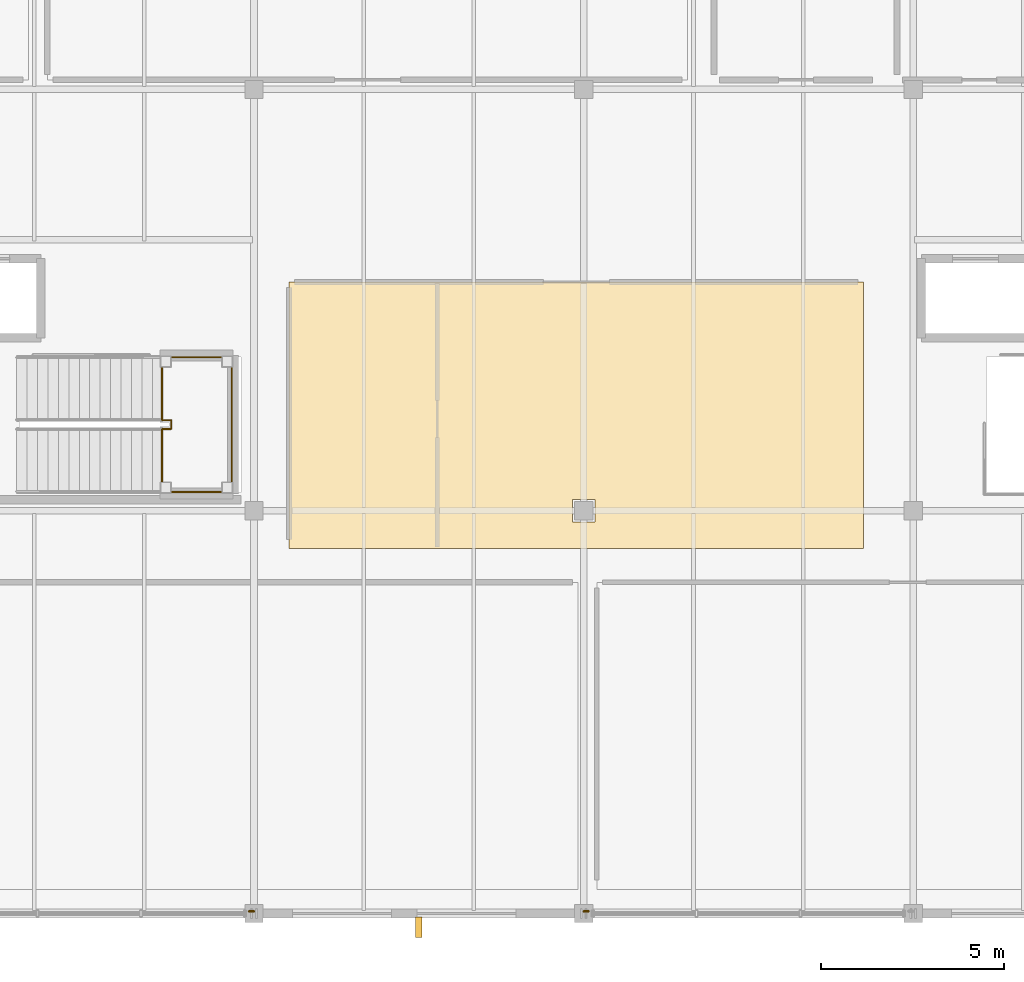
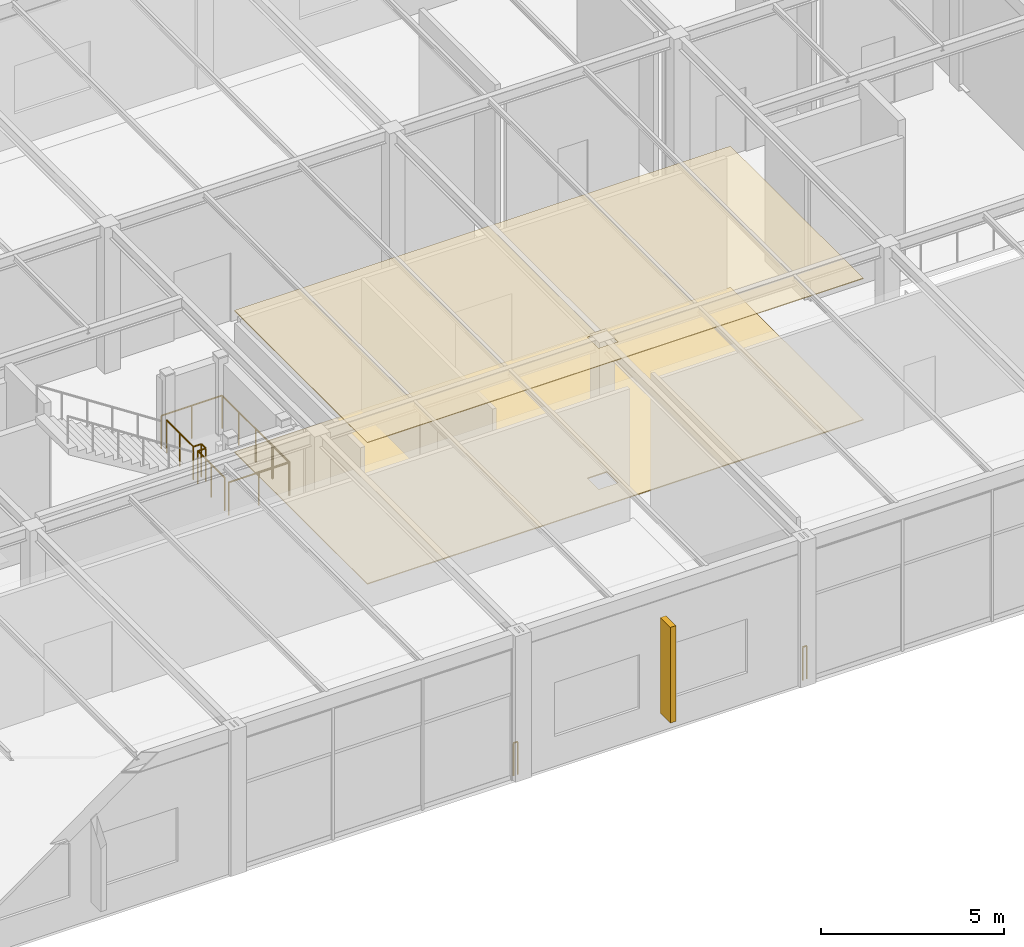
# One storey, part 186 of 195: 4 railings, 2 coverings, 1 shading device.
"""IFC4 building model written with IfcOpenShell, lengths in metres."""

from ifc_helpers import new_model, si_unit, direction, frame, origin, origin_2d, place, context, subcontext, project, spatial, polyline, rectangle, circle, outline, extrude, material, layer, layer_set, type_object, element, save


model = new_model("IFC4")

# Units and contexts
model_context = context("Model", 3, precision=1e-05, world=origin(), true_north=direction((0.0, 1.0)))
body_context = subcontext(model_context, "Body", "Model", "MODEL_VIEW")
ifc_project = project(units=[si_unit("LENGTHUNIT", "METRE"), si_unit("AREAUNIT", "SQUARE_METRE"), si_unit("VOLUMEUNIT", "CUBIC_METRE"), si_unit("PLANEANGLEUNIT", "RADIAN"), si_unit("MASSUNIT", "GRAM", prefix="KILO")], contexts=[model_context])

# Site, building, storey
site_placement = place(None, origin())
site = spatial("IfcSite", under=ifc_project, at=site_placement, CompositionType="ELEMENT")
building_placement = place(site_placement, origin())
building = spatial("IfcBuilding", under=site, at=building_placement, Name="Marlcrest Central Station", CompositionType="ELEMENT")
storey_placement = place(building_placement, frame((0.0, 0.0, 9.800048828125)))
storey = spatial("IfcBuildingStorey", under=building, at=storey_placement, Name="L02", CompositionType="ELEMENT", Elevation=9.800048828125)

# Coverings
ifc_material_1 = material(Name="Perforated acoustic mineral-fibre ceiling")
ifc_layer_1 = layer(ifc_material_1, 0.02490234375, Name="CV-CLG")
ifc_layer_set_1 = layer_set([ifc_layer_1], Name="Perforated acoustic mineral-fibre ceiling")
covering_type_1 = type_object("IfcCoveringType", Name="CV-CLG", PredefinedType="CEILING", material=ifc_layer_set_1)
covering_1_placement = place(storey_placement, frame((0.0, 0.0, 4.724853515625)))
element("IfcCovering", 1, at=covering_1_placement, inside=storey, type_object=covering_type_1, Name="cov-clg-0089", PredefinedType="CEILING", context=body_context, shape_type="SweptSolid", body=[
    extrude(outline(polyline([(180.9599609375, 9.9599609375), (180.9599609375, 17.239990234375), (196.639892578125, 17.239990234375), (196.639892578125, 9.9599609375), (180.9599609375, 9.9599609375)]), holes=[polyline([(189.31005859375, 11.31005859375), (188.68994140625, 11.31005859375), (188.68994140625, 10.68994140625), (189.31005859375, 10.68994140625), (189.31005859375, 11.31005859375)])]), origin(), (0.0, 0.0, 1.0), 0.025146484375),
])
ifc_material_2 = material(Name="Polished terrazzo and tactile transit flooring")
ifc_layer_2 = layer(ifc_material_2, 0.030029296875, Name="CV-FLR")
ifc_layer_set_2 = layer_set([ifc_layer_2], Name="Polished terrazzo and tactile transit flooring")
covering_type_2 = type_object("IfcCoveringType", Name="CV-FLR", PredefinedType="FLOORING", material=ifc_layer_set_2)
covering_2_placement = place(storey_placement, origin())
element("IfcCovering", 2, at=covering_2_placement, inside=storey, type_object=covering_type_2, Name="cov-flr-0090", PredefinedType="FLOORING", context=body_context, shape_type="SweptSolid", body=[
    extrude(outline(polyline([(180.9599609375, 9.9599609375), (180.9599609375, 17.239990234375), (196.639892578125, 17.239990234375), (196.639892578125, 9.9599609375), (180.9599609375, 9.9599609375)]), holes=[polyline([(189.31005859375, 11.31005859375), (188.68994140625, 11.31005859375), (188.68994140625, 10.68994140625), (189.31005859375, 10.68994140625), (189.31005859375, 11.31005859375)])]), origin(), (0.0, 0.0, 1.0), 0.030029296875),
])

# Railings
ifc_material_3 = material(Name="Stainless steel and laminated glass concourse balustrade", Category="steel")
railing_type = type_object("IfcRailingType", Name="GR-02", PredefinedType="BALUSTRADE", material=ifc_material_3)
railing_1_placement = place(storey_placement, frame((177.469970703125, 11.510009765625, 2.599853515625)))
element("IfcRailing", 3, at=railing_1_placement, inside=storey, type_object=railing_type, Name="hr-L02-00225", PredefinedType="BALUSTRADE", context=body_context, shape_type="SweptSolid", body=[
    extrude(circle(Radius=0.02392578125, at=origin_2d()), frame((0.0, 0.0, 1.09619140625), z_axis=(1.0, 0.0, 0.0), x_axis=(0.0, 1.0, 0.0)), (0.0, 0.0, 1.0), 1.919921875),
    extrude(circle(Radius=0.02392578125, at=origin_2d()), frame((1.919921875, 0.0, 1.09619140625), z_axis=(0.0, 1.0, 0.0), x_axis=(-1.0, 0.0, 0.0)), (0.0, 0.0, 1.0), 3.679931640625),
    extrude(circle(Radius=0.02392578125, at=origin_2d()), frame((1.919921875, 3.679931640625, 1.09619140625), z_axis=(-1.0, 0.0, 0.0), x_axis=(0.0, -1.0, 0.0)), (0.0, 0.0, 1.0), 1.919921875),
    extrude(circle(Radius=0.02099609375, at=origin_2d()), origin(), (0.0, 0.0, 1.0), 1.072021484375),
    extrude(circle(Radius=0.02099609375, at=origin_2d()), frame((0.9599609375, 0.0, 0.0)), (0.0, 0.0, 1.0), 1.072021484375),
    extrude(circle(Radius=0.02099609375, at=origin_2d()), frame((1.919921875, 0.0, 0.0)), (0.0, 0.0, 1.0), 1.072021484375),
    extrude(circle(Radius=0.02099609375, at=origin_2d()), frame((1.919921875, 0.919921875, 0.0)), (0.0, 0.0, 1.0), 1.072021484375),
    extrude(circle(Radius=0.02099609375, at=origin_2d()), frame((1.919921875, 1.83984375, 0.0)), (0.0, 0.0, 1.0), 1.072021484375),
    extrude(circle(Radius=0.02099609375, at=origin_2d()), frame((1.919921875, 2.760009765625, 0.0)), (0.0, 0.0, 1.0), 1.072021484375),
    extrude(circle(Radius=0.02099609375, at=origin_2d()), frame((1.919921875, 3.679931640625, 0.0)), (0.0, 0.0, 1.0), 1.072021484375),
    extrude(circle(Radius=0.02099609375, at=origin_2d()), frame((0.9599609375, 3.679931640625, 0.0)), (0.0, 0.0, 1.0), 1.072021484375),
    extrude(circle(Radius=0.02099609375, at=origin_2d()), frame((0.0, 3.679931640625, 0.0)), (0.0, 0.0, 1.0), 1.072021484375),
])
for number, where, name in (
    (4, (189.135009765625, 0.06005859375, 0.0), "hr-L02-00349"),
    (5, (179.9970703125, 0.06005859375, 0.0), "hr-L02-00350"),
):
    element("IfcRailing", number, at=place(storey_placement, frame(where)), inside=storey, type_object=railing_type, Name=name, PredefinedType="BALUSTRADE", context=body_context, shape_type="SweptSolid", body=[
        extrude(circle(Radius=0.02392578125, at=origin_2d()), frame((0.0, 0.0, 1.09619140625), z_axis=(-1.0, 0.0, 0.0), x_axis=(0.0, -1.0, 0.0)), (0.0, 0.0, 1.0), 0.132080078125),
        extrude(circle(Radius=0.02099609375, at=origin_2d()), origin(), (0.0, 0.0, 1.0), 1.072021484375),
        extrude(circle(Radius=0.02099609375, at=origin_2d()), frame((-0.132080078125, 0.0, 0.0)), (0.0, 0.0, 1.0), 1.072021484375),
    ])
railing_2_placement = place(storey_placement, frame((177.489990234375, 11.760009765625, 2.599853515625)))
element("IfcRailing", 6, at=railing_2_placement, inside=storey, type_object=railing_type, Name="hr-L02-00599", PredefinedType="BALUSTRADE", context=body_context, shape_type="SweptSolid", body=[
    extrude(circle(Radius=0.02392578125, at=origin_2d()), frame((0.0, 0.0, 1.09619140625), z_axis=(0.0, 1.0, 0.0), x_axis=(-1.0, 0.0, 0.0)), (0.0, 0.0, 1.0), 1.469970703125),
    extrude(circle(Radius=0.02392578125, at=origin_2d()), frame((0.0, 1.469970703125, 1.09619140625), z_axis=(1.0, 0.0, 0.0), x_axis=(0.0, 1.0, 0.0)), (0.0, 0.0, 1.0), 0.25),
    extrude(circle(Radius=0.02392578125, at=origin_2d()), frame((0.25, 1.469970703125, 1.09619140625), z_axis=(0.0, 1.0, 0.0), x_axis=(-1.0, 0.0, 0.0)), (0.0, 0.0, 1.0), 0.239990234375),
    extrude(circle(Radius=0.02392578125, at=origin_2d()), frame((0.25, 1.7099609375, 1.09619140625), z_axis=(-1.0, 0.0, 0.0), x_axis=(0.0, -1.0, 0.0)), (0.0, 0.0, 1.0), 0.25),
    extrude(circle(Radius=0.02392578125, at=origin_2d()), frame((0.0, 1.7099609375, 1.09619140625), z_axis=(0.0, 1.0, 0.0), x_axis=(-1.0, 0.0, 0.0)), (0.0, 0.0, 1.0), 1.469970703125),
    extrude(circle(Radius=0.02099609375, at=origin_2d()), origin(), (0.0, 0.0, 1.0), 1.072021484375),
    extrude(circle(Radius=0.02099609375, at=origin_2d()), frame((0.0, 0.73486328125, 0.0)), (0.0, 0.0, 1.0), 1.072021484375),
    extrude(circle(Radius=0.02099609375, at=origin_2d()), frame((0.0, 1.469970703125, 0.0)), (0.0, 0.0, 1.0), 1.072021484375),
    extrude(circle(Radius=0.02099609375, at=origin_2d()), frame((0.25, 1.469970703125, 0.0)), (0.0, 0.0, 1.0), 1.072021484375),
    extrude(circle(Radius=0.02099609375, at=origin_2d()), frame((0.25, 1.7099609375, 0.0)), (0.0, 0.0, 1.0), 1.072021484375),
    extrude(circle(Radius=0.02099609375, at=origin_2d()), frame((0.0, 1.7099609375, 0.0)), (0.0, 0.0, 1.0), 1.072021484375),
    extrude(circle(Radius=0.02099609375, at=origin_2d()), frame((0.0, 2.44482421875, 0.0)), (0.0, 0.0, 1.0), 1.072021484375),
    extrude(circle(Radius=0.02099609375, at=origin_2d()), frame((0.0, 3.179931640625, 0.0)), (0.0, 0.0, 1.0), 1.072021484375),
])

# Shading device
ifc_material_4 = material(Name="Precast concrete C40/50", Category="concrete")
shading_device_type = type_object("IfcShadingDeviceType", Name="SD-BS2", PredefinedType="USERDEFINED", material=ifc_material_4)
shading_device_placement = place(storey_placement, frame((184.5, -0.375, 0.59521484375), z_axis=(0.0, 0.0, 1.0), x_axis=(1.0, 0.0, 0.0)))
element("IfcShadingDevice", 7, at=shading_device_placement, inside=storey, type_object=shading_device_type, Name="shd-L02-0030", ObjectType="BRISE_SOLEIL", PredefinedType="USERDEFINED", context=body_context, shape_type="SweptSolid", body=[
    extrude(rectangle(XDim=0.179931640625, YDim=0.550048828125, at=origin_2d()), origin(), (0.0, 0.0, 1.0), 3.199951171875),
])

save(model, "model.ifc")
